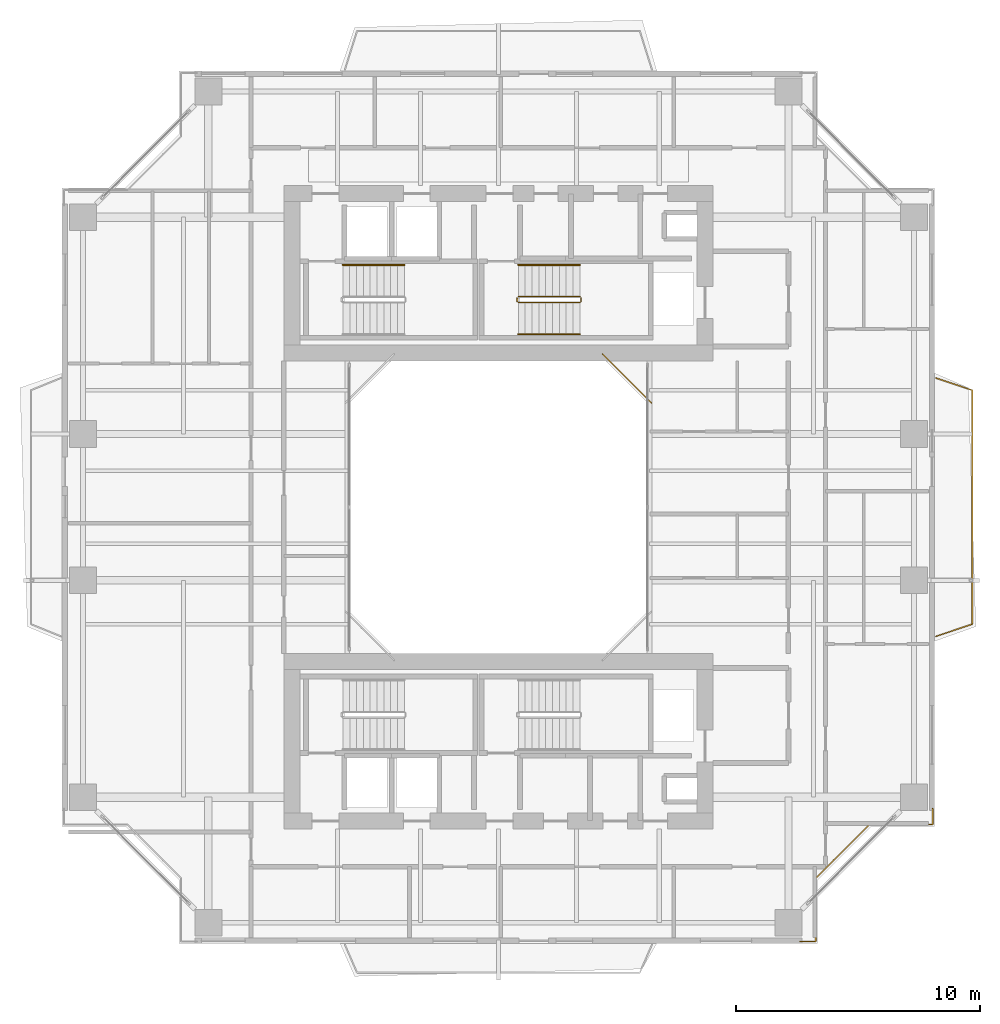
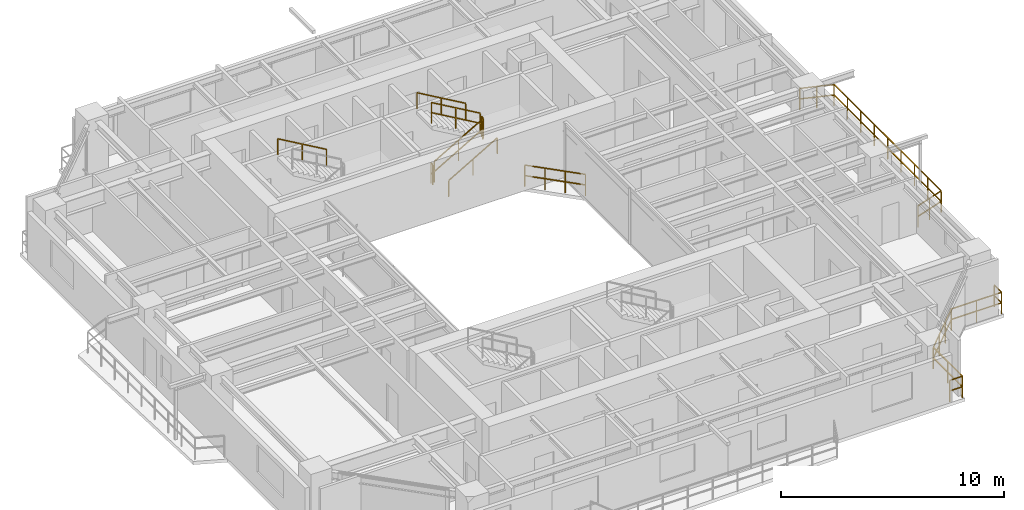
# One storey, part 16 of 17: 10 railings.
"""IFC4 building model written with IfcOpenShell, lengths in metres."""

import ifcopenshell
import ifcopenshell.guid

model = None  # the IFC model being written
_history = None  # IfcOwnerHistory: only IFC2X3 demands one
_inside = {}  # id of a spatial element -> (the spatial element, [elements in it])
_under = {}  # id of a project, library or spatial element -> (it, [spatial elements below it])
_declared = {}  # id of a project -> (the project, [libraries it declares])
_typed = {}  # id of a type object -> (the type object, [elements of that type])
_made_of = {}  # id of a material, layer set ... -> (it, [elements and type objects made of it])


def new_model(schema):
    """Start an empty IFC model of exactly this schema.

    Asked for "IFC4X3", IfcOpenShell would pick the latest addendum, in which some entities
    have other attributes; the version numbers below select the first issue.
    IFC2X3 requires an IfcOwnerHistory on every rooted entity: one is made here for all.
    """
    global model, _history
    if schema == "IFC4X3":
        model = ifcopenshell.file(schema_version=(4, 3, 0, 0))
    else:
        model = ifcopenshell.file(schema=schema)
    _inside.clear()
    _under.clear()
    _declared.clear()
    _typed.clear()
    _made_of.clear()
    _history = None
    if model.schema == "IFC2X3":
        org = make("IfcOrganization", Name="unknown")
        user = make(
            "IfcPersonAndOrganization",
            ThePerson=make("IfcPerson", FamilyName="unknown"),
            TheOrganization=org,
        )
        app = make(
            "IfcApplication",
            ApplicationDeveloper=org,
            Version="unknown",
            ApplicationFullName="unknown",
            ApplicationIdentifier="unknown",
        )
        _history = make(
            "IfcOwnerHistory",
            OwningUser=user,
            OwningApplication=app,
            ChangeAction="ADDED",
            CreationDate=0,
        )
    return model


def make(cls, **values):
    """One entity of the class cls with the attributes given. An attribute that is None is left unset."""
    return model.create_entity(
        cls, **{name: value for name, value in values.items() if value is not None}
    )


def rooted(cls, **values):
    """An entity with a GlobalId (a new one), such as an element, a storey or a relation."""
    return make(cls, GlobalId=ifcopenshell.guid.new(), OwnerHistory=_history, **values)


def si_unit(unit_type, name, prefix=None):
    """IfcSIUnit, for example si_unit("LENGTHUNIT", "METRE", prefix="MILLI")."""
    return make("IfcSIUnit", UnitType=unit_type, Prefix=prefix, Name=name)


def assignment(units):
    """IfcUnitAssignment: the units of a project."""
    return None if units is None else make("IfcUnitAssignment", Units=units)


def point(xyz):
    """IfcCartesianPoint."""
    return None if xyz is None else make("IfcCartesianPoint", Coordinates=xyz)


def direction(xyz):
    """IfcDirection."""
    return None if xyz is None else make("IfcDirection", DirectionRatios=xyz)


def frame(location, z_axis=None, x_axis=None):
    """IfcAxis2Placement3D, a coordinate frame: its origin and axes. An axis left out is left unset."""
    return make(
        "IfcAxis2Placement3D",
        Location=point(location),
        Axis=direction(z_axis),
        RefDirection=direction(x_axis),
    )


def frame_2d(location, x_axis=None):
    """IfcAxis2Placement2D, a coordinate frame in the plane: its origin and x axis."""
    return make(
        "IfcAxis2Placement2D", Location=point(location), RefDirection=direction(x_axis)
    )


def origin():
    """The frame at (0, 0, 0) with its axes left unset."""
    return frame((0.0, 0.0, 0.0))


def origin_2d():
    """The frame at (0, 0) in the plane with its x axis left unset."""
    return frame_2d((0.0, 0.0))


def place(relative_to, where):
    """IfcLocalPlacement: puts the frame where relative to a parent placement (None: the world)."""
    return make(
        "IfcLocalPlacement", PlacementRelTo=relative_to, RelativePlacement=where
    )


def context(
    kind, dimensions, precision=None, world=None, true_north=None, identifier=None
):
    """IfcGeometricRepresentationContext, for example the 3D "Model" context."""
    return make(
        "IfcGeometricRepresentationContext",
        ContextIdentifier=identifier,
        ContextType=kind,
        CoordinateSpaceDimension=dimensions,
        Precision=precision,
        WorldCoordinateSystem=world,
        TrueNorth=true_north,
    )


def subcontext(parent, identifier, kind, view, scale=None):
    """IfcGeometricRepresentationSubContext, for example "Body" below "Model"."""
    return make(
        "IfcGeometricRepresentationSubContext",
        ContextIdentifier=identifier,
        ContextType=kind,
        ParentContext=parent,
        TargetScale=scale,
        TargetView=view,
    )


def project(units=None, contexts=None):
    """IfcProject with its units and contexts."""
    return rooted(
        "IfcProject",
        Name="project",
        RepresentationContexts=contexts,
        UnitsInContext=assignment(units),
    )


def spatial(cls, under=None, at=None, **own):
    """A site, building, storey or space (cls), placed at a placement, below another one or the project."""
    s = rooted(cls, ObjectPlacement=at, **own)
    if under is not None:
        _under.setdefault(under.id(), (under, []))[1].append(s)
    return s


def profile(cls, at=None, kind="AREA", **sizes):
    """A parametric profile (cls). Its sizes go by their IFC names, for example OverallWidth=200.0."""
    return make(cls, ProfileType=kind, Position=at, **sizes)


def rectangle(**sizes):
    """IfcRectangleProfileDef."""
    return profile("IfcRectangleProfileDef", **sizes)


def extrude(swept, where, along, depth):
    """IfcExtrudedAreaSolid: the profile swept, set in the frame where, extruded along a direction by depth."""
    return make(
        "IfcExtrudedAreaSolid",
        SweptArea=swept,
        Position=where,
        ExtrudedDirection=direction(along),
        Depth=depth,
    )


def shape(context_of_items, identifier, shape_type, items):
    """IfcShapeRepresentation: the items that make up one representation, for example the "Body"."""
    return make(
        "IfcShapeRepresentation",
        ContextOfItems=context_of_items,
        RepresentationIdentifier=identifier,
        RepresentationType=shape_type,
        Items=items,
    )


def material(Name=None, Category=None):
    """IfcMaterial."""
    return make("IfcMaterial", Name=Name, Category=Category)


def made_of(thing, what):
    """Note that an element or type object is made of a material, layer set ...; save() writes the relation."""
    if what is not None:
        _made_of.setdefault(what.id(), (what, []))[1].append(thing)
    return thing


def type_object(cls, material=None, **own):
    """A type object (cls), such as IfcWallType, which elements share."""
    return made_of(rooted(cls, **own), material)


def element(
    cls,
    number,
    at=None,
    inside=None,
    cuts=None,
    type_object=None,
    material=None,
    context=None,
    identifier="Body",
    shape_type=None,
    held_by="IfcProductDefinitionShape",
    body=None,
    shapes=None,
    **own,
):
    """One element of the class cls, such as IfcWall. Its Tag is "e" and its number.

    at: its placement. inside: the storey or other place that contains it. cuts: it is an
    opening in that element (IfcRelVoidsElement). A single representation is given by context,
    identifier, shape_type and body (its items); several are given by shapes. held_by: the class
    of the entity that holds the representations. save() writes the other relations.
    """
    e = rooted(cls, Tag="e%d" % number, ObjectPlacement=at, **own)
    if body is not None:
        shapes = [shape(context, identifier, shape_type, body)]
    if shapes is not None:
        e.Representation = make(held_by, Representations=shapes)
    if inside is not None:
        _inside.setdefault(inside.id(), (inside, []))[1].append(e)
    if cuts is not None:
        rooted(
            "IfcRelVoidsElement", RelatingBuildingElement=cuts, RelatedOpeningElement=e
        )
    if type_object is not None:
        _typed.setdefault(type_object.id(), (type_object, []))[1].append(e)
    return made_of(e, material)


def aggregate(whole, parts):
    """IfcRelAggregates: a whole, such as a stair, and the parts it consists of."""
    return rooted("IfcRelAggregates", RelatingObject=whole, RelatedObjects=parts)


def save(model, path):
    """Write the relations noted so far, then the file.

    IfcRelAggregates (storeys below a building ...), IfcRelContainedInSpatialStructure (elements
    in a storey), IfcRelDefinesByType, IfcRelAssociatesMaterial and IfcRelDeclares: one each for
    every whole, place, type object, material and project.
    """
    for whole, parts in _under.values():
        aggregate(whole, parts)
    for where, things in _inside.values():
        rooted(
            "IfcRelContainedInSpatialStructure",
            RelatedElements=things,
            RelatingStructure=where,
        )
    for kind, things in _typed.values():
        rooted("IfcRelDefinesByType", RelatedObjects=things, RelatingType=kind)
    for what, things in _made_of.values():
        rooted("IfcRelAssociatesMaterial", RelatedObjects=things, RelatingMaterial=what)
    for by, libraries in _declared.values():
        rooted("IfcRelDeclares", RelatingContext=by, RelatedDefinitions=libraries)
    model.write(path)


model = new_model("IFC4")

# Units and contexts
model_context = context("Model", 3, precision=1e-05, world=origin(), true_north=direction((0.0, 1.0)))
body_context = subcontext(model_context, "Body", "Model", "MODEL_VIEW")
ifc_project = project(units=[si_unit("LENGTHUNIT", "METRE"), si_unit("AREAUNIT", "SQUARE_METRE"), si_unit("VOLUMEUNIT", "CUBIC_METRE"), si_unit("PLANEANGLEUNIT", "RADIAN"), si_unit("MASSUNIT", "GRAM", prefix="KILO"), si_unit("THERMODYNAMICTEMPERATUREUNIT", "KELVIN"), si_unit("POWERUNIT", "WATT")], contexts=[model_context])

# Site, building, storey
site_placement = place(None, origin())
site = spatial("IfcSite", under=ifc_project, at=site_placement, CompositionType="ELEMENT")
building_placement = place(site_placement, origin())
building = spatial("IfcBuilding", under=site, at=building_placement, Name="Qiaomeng Ring Towers", CompositionType="ELEMENT")
storey_placement = place(building_placement, frame((0.0, 0.0, 119.75)))
storey = spatial("IfcBuildingStorey", under=building, at=storey_placement, Name="L34", CompositionType="ELEMENT", Elevation=119.75)

# Railings
ifc_material_1 = material(Name="Low-E pale-green laminated safety glass", Category="glass")
railing_type_1 = type_object("IfcRailingType", Name="ARC-RL-BAL1", PredefinedType="BALUSTRADE", material=ifc_material_1)
railing_1_placement = place(storey_placement, frame((25.280029296875, 27.280029296875, 0.0)))
element("IfcRailing", 1, at=railing_1_placement, inside=storey, type_object=railing_type_1, Name="L34 Balustrade ARC-BAL-WELL1-L34-2", PredefinedType="BALUSTRADE", context=body_context, shape_type="SweptSolid", body=[
    extrude(rectangle(XDim=0.048095703125, YDim=0.048095703125, at=origin_2d()), frame((0.0, 0.0, 1.17578125), z_axis=(-0.707106781187, 0.707106781187, 0.0), x_axis=(-0.707106781187, -0.707106781187, 0.0)), (0.0, 0.0, 1.0), 2.828369140625),
    extrude(rectangle(XDim=0.048095703125, YDim=0.048095703125, at=origin_2d()), frame((0.0, 0.0, 0.60009765625), z_axis=(-0.707106781187, 0.707106781187, 0.0), x_axis=(-0.707106781187, -0.707106781187, 0.0)), (0.0, 0.0, 1.0), 2.828369140625),
    extrude(rectangle(XDim=0.0419921875, YDim=0.0419921875, at=origin_2d()), origin(), (0.0, 0.0, 1.0), 1.15185546875),
    extrude(rectangle(XDim=0.0419921875, YDim=0.0419921875, at=origin_2d()), frame((-0.666748046875, 0.666748046875, 0.0)), (0.0, 0.0, 1.0), 1.15185546875),
    extrude(rectangle(XDim=0.0419921875, YDim=0.0419921875, at=origin_2d()), frame((-1.333251953125, 1.333251953125, 0.0)), (0.0, 0.0, 1.0), 1.15185546875),
    extrude(rectangle(XDim=0.0419921875, YDim=0.0419921875, at=origin_2d()), frame((-2.0, 2.0, 0.0)), (0.0, 0.0, 1.0), 1.15185546875),
])
railing_2_placement = place(storey_placement, frame((31.3701171875, 5.179931640625, 0.0)))
element("IfcRailing", 2, at=railing_2_placement, inside=storey, type_object=railing_type_1, Name="L34 Balustrade ARC-BAL-NOTCH1-L34-SE", PredefinedType="BALUSTRADE", context=body_context, shape_type="SweptSolid", body=[
    extrude(rectangle(XDim=0.048095703125, YDim=0.048095703125, at=origin_2d()), frame((0.0, 0.0, 1.17578125), z_axis=(1.0, 0.0, 0.0), x_axis=(0.0, 1.0, 0.0)), (0.0, 0.0, 1.0), 0.64990234375),
    extrude(rectangle(XDim=0.048095703125, YDim=0.048095703125, at=origin_2d()), frame((0.0, 0.0, 0.60009765625), z_axis=(1.0, 0.0, 0.0), x_axis=(0.0, 1.0, 0.0)), (0.0, 0.0, 1.0), 0.64990234375),
    extrude(rectangle(XDim=0.048095703125, YDim=0.048095703125, at=origin_2d()), frame((0.64990234375, 0.0, 1.17578125), z_axis=(0.0, 1.0, 0.0), x_axis=(-1.0, 0.0, 0.0)), (0.0, 0.0, 1.0), 2.60009765625),
    extrude(rectangle(XDim=0.048095703125, YDim=0.048095703125, at=origin_2d()), frame((0.64990234375, 0.0, 0.60009765625), z_axis=(0.0, 1.0, 0.0), x_axis=(-1.0, 0.0, 0.0)), (0.0, 0.0, 1.0), 2.60009765625),
    extrude(rectangle(XDim=0.048095703125, YDim=0.048095703125, at=origin_2d()), frame((0.64990234375, 2.60009765625, 1.17578125), z_axis=(0.707106781187, 0.707106781187, 0.0), x_axis=(-0.707106781187, 0.707106781187, 0.0)), (0.0, 0.0, 1.0), 3.111083984375),
    extrude(rectangle(XDim=0.048095703125, YDim=0.048095703125, at=origin_2d()), frame((0.64990234375, 2.60009765625, 0.60009765625), z_axis=(0.707106781187, 0.707106781187, 0.0), x_axis=(-0.707106781187, 0.707106781187, 0.0)), (0.0, 0.0, 1.0), 3.111083984375),
    extrude(rectangle(XDim=0.048095703125, YDim=0.048095703125, at=origin_2d()), frame((2.849853515625, 4.800048828125, 1.17578125), z_axis=(1.0, 0.0, 0.0), x_axis=(0.0, 1.0, 0.0)), (0.0, 0.0, 1.0), 2.60009765625),
    extrude(rectangle(XDim=0.048095703125, YDim=0.048095703125, at=origin_2d()), frame((2.849853515625, 4.800048828125, 0.60009765625), z_axis=(1.0, 0.0, 0.0), x_axis=(0.0, 1.0, 0.0)), (0.0, 0.0, 1.0), 2.60009765625),
    extrude(rectangle(XDim=0.048095703125, YDim=0.048095703125, at=origin_2d()), frame((5.449951171875, 4.800048828125, 1.17578125), z_axis=(0.0, 1.0, 0.0), x_axis=(-1.0, 0.0, 0.0)), (0.0, 0.0, 1.0), 0.64990234375),
    extrude(rectangle(XDim=0.048095703125, YDim=0.048095703125, at=origin_2d()), frame((5.449951171875, 4.800048828125, 0.60009765625), z_axis=(0.0, 1.0, 0.0), x_axis=(-1.0, 0.0, 0.0)), (0.0, 0.0, 1.0), 0.64990234375),
    extrude(rectangle(XDim=0.0419921875, YDim=0.0419921875, at=origin_2d()), origin(), (0.0, 0.0, 1.0), 1.15185546875),
    extrude(rectangle(XDim=0.0419921875, YDim=0.0419921875, at=origin_2d()), frame((0.64990234375, 0.0, 0.0)), (0.0, 0.0, 1.0), 1.15185546875),
    extrude(rectangle(XDim=0.0419921875, YDim=0.0419921875, at=origin_2d()), frame((0.64990234375, 1.300048828125, 0.0)), (0.0, 0.0, 1.0), 1.15185546875),
    extrude(rectangle(XDim=0.0419921875, YDim=0.0419921875, at=origin_2d()), frame((0.64990234375, 2.60009765625, 0.0)), (0.0, 0.0, 1.0), 1.15185546875),
    extrude(rectangle(XDim=0.0419921875, YDim=0.0419921875, at=origin_2d()), frame((1.38330078125, 3.33349609375, 0.0)), (0.0, 0.0, 1.0), 1.15185546875),
    extrude(rectangle(XDim=0.0419921875, YDim=0.0419921875, at=origin_2d()), frame((2.116455078125, 4.066650390625, 0.0)), (0.0, 0.0, 1.0), 1.15185546875),
    extrude(rectangle(XDim=0.0419921875, YDim=0.0419921875, at=origin_2d()), frame((2.849853515625, 4.800048828125, 0.0)), (0.0, 0.0, 1.0), 1.15185546875),
    extrude(rectangle(XDim=0.0419921875, YDim=0.0419921875, at=origin_2d()), frame((4.14990234375, 4.800048828125, 0.0)), (0.0, 0.0, 1.0), 1.15185546875),
    extrude(rectangle(XDim=0.0419921875, YDim=0.0419921875, at=origin_2d()), frame((5.449951171875, 4.800048828125, 0.0)), (0.0, 0.0, 1.0), 1.15185546875),
    extrude(rectangle(XDim=0.0419921875, YDim=0.0419921875, at=origin_2d()), frame((5.449951171875, 5.449951171875, 0.0)), (0.0, 0.0, 1.0), 1.15185546875),
])
railing_3_placement = place(storey_placement, frame((36.949951171875, 17.699951171875, 0.0)))
element("IfcRailing", 3, at=railing_3_placement, inside=storey, type_object=railing_type_1, Name="L34 Balustrade ARC-BAL-L34-T1-E", PredefinedType="BALUSTRADE", context=body_context, shape_type="SweptSolid", body=[
    extrude(rectangle(XDim=0.048095703125, YDim=0.048095703125, at=origin_2d()), frame((0.0, 0.0, 1.17578125), z_axis=(0.948044476945, 0.318137815629, 0.0), x_axis=(-0.318137815629, 0.948044476945, 0.0)), (0.0, 0.0, 1.0), 1.571533203125),
    extrude(rectangle(XDim=0.048095703125, YDim=0.048095703125, at=origin_2d()), frame((0.0, 0.0, 0.60009765625), z_axis=(0.948044476945, 0.318137815629, 0.0), x_axis=(-0.318137815629, 0.948044476945, 0.0)), (0.0, 0.0, 1.0), 1.571533203125),
    extrude(rectangle(XDim=0.048095703125, YDim=0.048095703125, at=origin_2d()), frame((1.489990234375, 0.5, 1.17578125), z_axis=(0.0, 1.0, 0.0), x_axis=(-1.0, 0.0, 0.0)), (0.0, 0.0, 1.0), 9.60009765625),
    extrude(rectangle(XDim=0.048095703125, YDim=0.048095703125, at=origin_2d()), frame((1.489990234375, 0.5, 0.60009765625), z_axis=(0.0, 1.0, 0.0), x_axis=(-1.0, 0.0, 0.0)), (0.0, 0.0, 1.0), 9.60009765625),
    extrude(rectangle(XDim=0.048095703125, YDim=0.048095703125, at=origin_2d()), frame((1.489990234375, 10.10009765625, 1.17578125), z_axis=(-0.948044476945, 0.318137815629, 0.0), x_axis=(-0.318137815629, -0.948044476945, 0.0)), (0.0, 0.0, 1.0), 1.571533203125),
    extrude(rectangle(XDim=0.048095703125, YDim=0.048095703125, at=origin_2d()), frame((1.489990234375, 10.10009765625, 0.60009765625), z_axis=(-0.948044476945, 0.318137815629, 0.0), x_axis=(-0.318137815629, -0.948044476945, 0.0)), (0.0, 0.0, 1.0), 1.571533203125),
    extrude(rectangle(XDim=0.0419921875, YDim=0.0419921875, at=origin_2d()), origin(), (0.0, 0.0, 1.0), 1.15185546875),
    extrude(rectangle(XDim=0.0419921875, YDim=0.0419921875, at=origin_2d()), frame((0.7451171875, 0.25, 0.0)), (0.0, 0.0, 1.0), 1.15185546875),
    extrude(rectangle(XDim=0.0419921875, YDim=0.0419921875, at=origin_2d()), frame((1.489990234375, 0.5, 0.0)), (0.0, 0.0, 1.0), 1.15185546875),
    extrude(rectangle(XDim=0.0419921875, YDim=0.0419921875, at=origin_2d()), frame((1.489990234375, 1.699951171875, 0.0)), (0.0, 0.0, 1.0), 1.15185546875),
    extrude(rectangle(XDim=0.0419921875, YDim=0.0419921875, at=origin_2d()), frame((1.489990234375, 2.89990234375, 0.0)), (0.0, 0.0, 1.0), 1.15185546875),
    extrude(rectangle(XDim=0.0419921875, YDim=0.0419921875, at=origin_2d()), frame((1.489990234375, 4.10009765625, 0.0)), (0.0, 0.0, 1.0), 1.15185546875),
    extrude(rectangle(XDim=0.0419921875, YDim=0.0419921875, at=origin_2d()), frame((1.489990234375, 5.300048828125, 0.0)), (0.0, 0.0, 1.0), 1.15185546875),
    extrude(rectangle(XDim=0.0419921875, YDim=0.0419921875, at=origin_2d()), frame((1.489990234375, 6.5, 0.0)), (0.0, 0.0, 1.0), 1.15185546875),
    extrude(rectangle(XDim=0.0419921875, YDim=0.0419921875, at=origin_2d()), frame((1.489990234375, 7.7001953125, 0.0)), (0.0, 0.0, 1.0), 1.15185546875),
    extrude(rectangle(XDim=0.0419921875, YDim=0.0419921875, at=origin_2d()), frame((1.489990234375, 8.900146484375, 0.0)), (0.0, 0.0, 1.0), 1.15185546875),
    extrude(rectangle(XDim=0.0419921875, YDim=0.0419921875, at=origin_2d()), frame((1.489990234375, 10.10009765625, 0.0)), (0.0, 0.0, 1.0), 1.15185546875),
    extrude(rectangle(XDim=0.0419921875, YDim=0.0419921875, at=origin_2d()), frame((0.7451171875, 10.35009765625, 0.0)), (0.0, 0.0, 1.0), 1.15185546875),
    extrude(rectangle(XDim=0.0419921875, YDim=0.0419921875, at=origin_2d()), frame((0.0, 10.60009765625, 0.0)), (0.0, 0.0, 1.0), 1.15185546875),
])
ifc_material_2 = material(Name="Galvanised steel", Category="steel")
railing_type_2 = type_object("IfcRailingType", Name="ARC-RL-GUARD", PredefinedType="GUARDRAIL", material=ifc_material_2)
railing_4_placement = place(storey_placement, frame((19.820068359375, 31.39990234375, 0.16259765625)))
element("IfcRailing", 4, at=railing_4_placement, inside=storey, type_object=railing_type_2, Name="L34 ST2 stair guard 1", PredefinedType="GUARDRAIL", context=body_context, shape_type="SweptSolid", body=[
    extrude(rectangle(XDim=0.048095703125, YDim=0.048095703125, at=origin_2d()), frame((0.0, 0.0, 1.1259765625), z_axis=(0.864913338283, 0.0, 0.50192122615), x_axis=(0.0, 1.0, 0.0)), (0.0, 0.0, 1.0), 2.91357421875),
    extrude(rectangle(XDim=0.048095703125, YDim=0.048095703125, at=origin_2d()), frame((0.0, 0.0, 0.574951171875), z_axis=(0.864913338283, 0.0, 0.50192122615), x_axis=(0.0, 1.0, 0.0)), (0.0, 0.0, 1.0), 2.91357421875),
    extrude(rectangle(XDim=0.0419921875, YDim=0.0419921875, at=origin_2d()), origin(), (0.0, 0.0, 1.0), 1.101806640625),
    extrude(rectangle(XDim=0.0419921875, YDim=0.0419921875, at=origin_2d()), frame((1.260009765625, 0.0, 0.731201171875)), (0.0, 0.0, 1.0), 1.101806640625),
    extrude(rectangle(XDim=0.0419921875, YDim=0.0419921875, at=origin_2d()), frame((2.52001953125, 0.0, 1.46240234375)), (0.0, 0.0, 1.0), 1.101806640625),
])
railing_5_placement = place(storey_placement, frame((22.389892578125, 31.449951171875, 1.625)))
element("IfcRailing", 5, at=railing_5_placement, inside=storey, type_object=railing_type_2, Name="L34 ST2 stair guard 2", PredefinedType="GUARDRAIL", context=body_context, shape_type="SweptSolid", body=[
    extrude(rectangle(XDim=0.048095703125, YDim=0.048095703125, at=origin_2d()), frame((0.0, 0.0, 1.1259765625), z_axis=(0.0, 1.0, 0.0), x_axis=(-1.0, 0.0, 0.0)), (0.0, 0.0, 1.0), 0.14013671875),
    extrude(rectangle(XDim=0.048095703125, YDim=0.048095703125, at=origin_2d()), frame((0.0, 0.0, 0.574951171875), z_axis=(0.0, 1.0, 0.0), x_axis=(-1.0, 0.0, 0.0)), (0.0, 0.0, 1.0), 0.14013671875),
    extrude(rectangle(XDim=0.0419921875, YDim=0.0419921875, at=origin_2d()), origin(), (0.0, 0.0, 1.0), 1.101806640625),
    extrude(rectangle(XDim=0.0419921875, YDim=0.0419921875, at=origin_2d()), frame((0.0, 0.14013671875, 0.0)), (0.0, 0.0, 1.0), 1.101806640625),
])
railing_6_placement = place(storey_placement, frame((22.340087890625, 31.639892578125, 1.78759765625)))
element("IfcRailing", 6, at=railing_6_placement, inside=storey, type_object=railing_type_2, Name="L34 ST2 stair guard 3", PredefinedType="GUARDRAIL", context=body_context, shape_type="SweptSolid", body=[
    extrude(rectangle(XDim=0.048095703125, YDim=0.048095703125, at=origin_2d()), frame((0.0, 0.0, 1.1259765625), z_axis=(-0.864913338283, 0.0, 0.50192122615), x_axis=(0.0, -1.0, 0.0)), (0.0, 0.0, 1.0), 2.91357421875),
    extrude(rectangle(XDim=0.048095703125, YDim=0.048095703125, at=origin_2d()), frame((0.0, 0.0, 0.574951171875), z_axis=(-0.864913338283, 0.0, 0.50192122615), x_axis=(0.0, -1.0, 0.0)), (0.0, 0.0, 1.0), 2.91357421875),
    extrude(rectangle(XDim=0.0419921875, YDim=0.0419921875, at=origin_2d()), origin(), (0.0, 0.0, 1.0), 1.101806640625),
    extrude(rectangle(XDim=0.0419921875, YDim=0.0419921875, at=origin_2d()), frame((-1.260009765625, 0.0, 0.731201171875)), (0.0, 0.0, 1.0), 1.101806640625),
    extrude(rectangle(XDim=0.0419921875, YDim=0.0419921875, at=origin_2d()), frame((-2.52001953125, 0.0, 1.46240234375)), (0.0, 0.0, 1.0), 1.101806640625),
])
railing_7_placement = place(storey_placement, frame((19.77001953125, 31.449951171875, 0.0)))
element("IfcRailing", 7, at=railing_7_placement, inside=storey, type_object=railing_type_2, Name="L34 ST2 stair guard 4", PredefinedType="GUARDRAIL", context=body_context, shape_type="SweptSolid", body=[
    extrude(rectangle(XDim=0.048095703125, YDim=0.048095703125, at=origin_2d()), frame((0.0, 0.0, 1.1259765625), z_axis=(0.0, 1.0, 0.0), x_axis=(-1.0, 0.0, 0.0)), (0.0, 0.0, 1.0), 0.14013671875),
    extrude(rectangle(XDim=0.048095703125, YDim=0.048095703125, at=origin_2d()), frame((0.0, 0.0, 0.574951171875), z_axis=(0.0, 1.0, 0.0), x_axis=(-1.0, 0.0, 0.0)), (0.0, 0.0, 1.0), 0.14013671875),
    extrude(rectangle(XDim=0.0419921875, YDim=0.0419921875, at=origin_2d()), origin(), (0.0, 0.0, 1.0), 1.101806640625),
    extrude(rectangle(XDim=0.0419921875, YDim=0.0419921875, at=origin_2d()), frame((0.0, 0.14013671875, 0.0)), (0.0, 0.0, 1.0), 1.101806640625),
])
ifc_material_3 = material(Name="Stainless steel 316", Category="steel")
railing_type_3 = type_object("IfcRailingType", Name="ARC-RL-HAND", PredefinedType="HANDRAIL", material=ifc_material_3)
railing_8_placement = place(storey_placement, frame((15.139892578125, 32.93994140625, 1.78759765625)))
element("IfcRailing", 8, at=railing_8_placement, inside=storey, type_object=railing_type_3, Name="L34 ST1 stair handrail 2", PredefinedType="HANDRAIL", context=body_context, shape_type="SweptSolid", body=[
    extrude(rectangle(XDim=0.048095703125, YDim=0.048095703125, at=origin_2d()), frame((0.0, 0.0, 0.8759765625), z_axis=(-0.864892226395, 0.0, 0.501957604506), x_axis=(0.0, -1.0, 0.0)), (0.0, 0.0, 1.0), 2.913330078125),
    extrude(rectangle(XDim=0.0419921875, YDim=0.0419921875, at=origin_2d()), origin(), (0.0, 0.0, 1.0), 0.851806640625),
    extrude(rectangle(XDim=0.0419921875, YDim=0.0419921875, at=origin_2d()), frame((-1.259765625, 0.0, 0.731201171875)), (0.0, 0.0, 1.0), 0.851806640625),
    extrude(rectangle(XDim=0.0419921875, YDim=0.0419921875, at=origin_2d()), frame((-2.519775390625, 0.0, 1.46240234375)), (0.0, 0.0, 1.0), 0.851806640625),
])
railing_9_placement = place(storey_placement, frame((19.820068359375, 30.10009765625, 0.16259765625)))
element("IfcRailing", 9, at=railing_9_placement, inside=storey, type_object=railing_type_3, Name="L34 ST2 stair handrail 1", PredefinedType="HANDRAIL", context=body_context, shape_type="SweptSolid", body=[
    extrude(rectangle(XDim=0.048095703125, YDim=0.048095703125, at=origin_2d()), frame((0.0, 0.0, 0.8759765625), z_axis=(0.864913338283, 0.0, 0.50192122615), x_axis=(0.0, 1.0, 0.0)), (0.0, 0.0, 1.0), 2.91357421875),
    extrude(rectangle(XDim=0.0419921875, YDim=0.0419921875, at=origin_2d()), origin(), (0.0, 0.0, 1.0), 0.851806640625),
    extrude(rectangle(XDim=0.0419921875, YDim=0.0419921875, at=origin_2d()), frame((1.260009765625, 0.0, 0.731201171875)), (0.0, 0.0, 1.0), 0.851806640625),
    extrude(rectangle(XDim=0.0419921875, YDim=0.0419921875, at=origin_2d()), frame((2.52001953125, 0.0, 1.46240234375)), (0.0, 0.0, 1.0), 0.851806640625),
])
railing_10_placement = place(storey_placement, frame((22.340087890625, 32.93994140625, 1.78759765625)))
element("IfcRailing", 10, at=railing_10_placement, inside=storey, type_object=railing_type_3, Name="L34 ST2 stair handrail 2", PredefinedType="HANDRAIL", context=body_context, shape_type="SweptSolid", body=[
    extrude(rectangle(XDim=0.048095703125, YDim=0.048095703125, at=origin_2d()), frame((0.0, 0.0, 0.8759765625), z_axis=(-0.864913338283, 0.0, 0.50192122615), x_axis=(0.0, -1.0, 0.0)), (0.0, 0.0, 1.0), 2.91357421875),
    extrude(rectangle(XDim=0.0419921875, YDim=0.0419921875, at=origin_2d()), origin(), (0.0, 0.0, 1.0), 0.851806640625),
    extrude(rectangle(XDim=0.0419921875, YDim=0.0419921875, at=origin_2d()), frame((-1.260009765625, 0.0, 0.731201171875)), (0.0, 0.0, 1.0), 0.851806640625),
    extrude(rectangle(XDim=0.0419921875, YDim=0.0419921875, at=origin_2d()), frame((-2.52001953125, 0.0, 1.46240234375)), (0.0, 0.0, 1.0), 0.851806640625),
])

save(model, "model.ifc")
